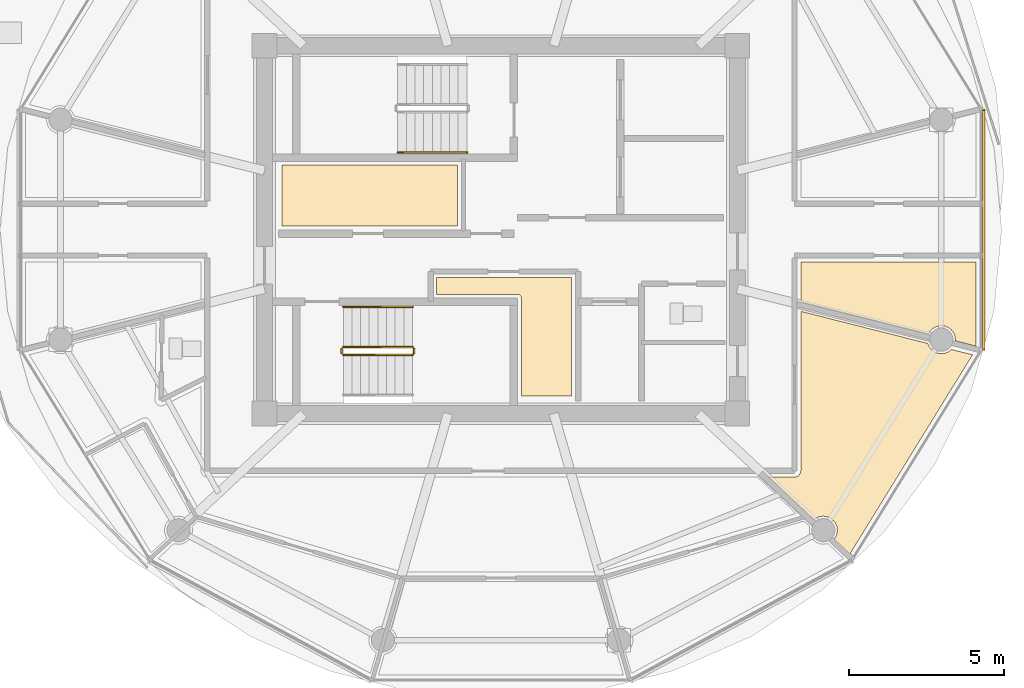
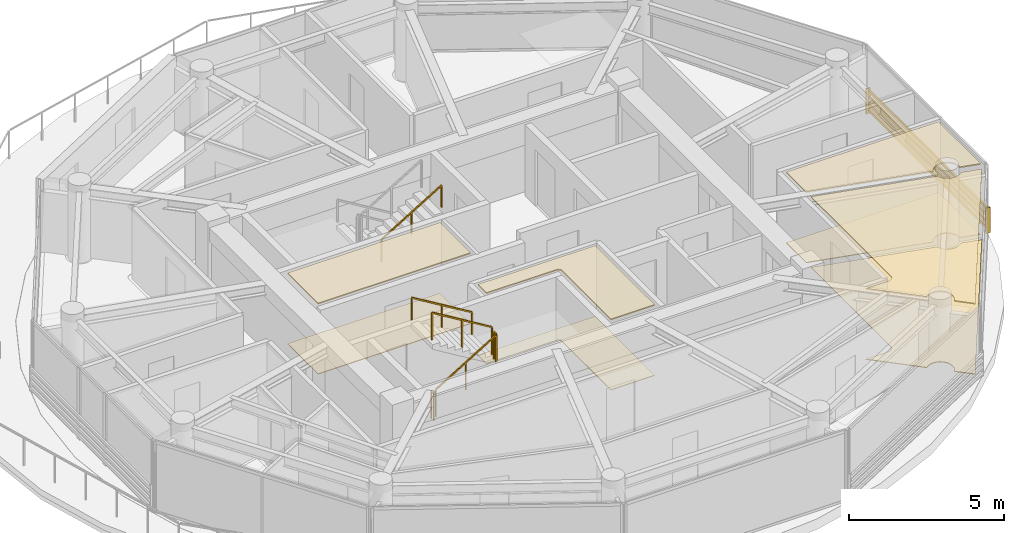
# One storey, part 22 of 28: 8 coverings, 6 railings, 1 shading device.
"""IFC4 building model written with IfcOpenShell, lengths in metres."""

from ifc_helpers import new_model, si_unit, direction, frame, origin, origin_2d, place, context, subcontext, project, spatial, polyline, rectangle, outline, extrude, source, transform, mapped, material, layer, layer_set, type_object, type_shapes, element, save


model = new_model("IFC4")

# Units and contexts
model_context = context("Model", 3, precision=1e-05, world=origin(), true_north=direction((0.0, 1.0)))
body_context = subcontext(model_context, "Body", "Model", "MODEL_VIEW")
ifc_project = project(units=[si_unit("LENGTHUNIT", "METRE"), si_unit("AREAUNIT", "SQUARE_METRE"), si_unit("VOLUMEUNIT", "CUBIC_METRE"), si_unit("PLANEANGLEUNIT", "RADIAN"), si_unit("MASSUNIT", "GRAM", prefix="KILO")], contexts=[model_context])

# Site, building, storey
site_placement = place(None, origin())
site = spatial("IfcSite", under=ifc_project, at=site_placement, CompositionType="ELEMENT")
building_placement = place(site_placement, origin())
building = spatial("IfcBuilding", under=site, at=building_placement, Name="Norrkilde Senior Care Towers", CompositionType="ELEMENT")
storey_placement = place(building_placement, frame((0.0, 0.0, 190.64990234375)))
storey = spatial("IfcBuildingStorey", under=building, at=storey_placement, Name="L59", CompositionType="ELEMENT", Elevation=190.64990234375)

# Coverings
ifc_material_1 = material(Name="Nordic Ash Timber", Category="wood")
ifc_layer_1 = layer(ifc_material_1, 0.044921875)
ifc_layer_set_1 = layer_set([ifc_layer_1], Name="Nordic Ash Timber")
covering_type_1 = type_object("IfcCoveringType", Name="Acoustic Ash Timber Slatted Ceiling 45", PredefinedType="CEILING", material=ifc_layer_set_1)
covering_1_placement = place(storey_placement, frame((0.0, 0.0, 2.76513671875)))
element("IfcCovering", 1, at=covering_1_placement, inside=storey, type_object=covering_type_1, Name="L59 Suspended Ceiling 0354", PredefinedType="CEILING", context=body_context, shape_type="SweptSolid", body=[
    extrude(outline(polyline([(20.919921875, 0.1201171875), (20.919921875, 2.090087890625), (26.60009765625, 2.090087890625), (26.60009765625, 0.1201171875), (20.919921875, 0.1201171875)])), origin(), (0.0, 0.0, 1.0), 0.044921875),
])
covering_2_placement = place(storey_placement, frame((0.0, 0.0, 2.76513671875)))
element("IfcCovering", 2, at=covering_2_placement, inside=storey, type_object=covering_type_1, Name="L59 Suspended Ceiling 0355", PredefinedType="CEILING", context=body_context, shape_type="SweptSolid", body=[
    extrude(outline(polyline([(28.65478515625, -2.175048828125), (28.65087890625, -2.1640625), (28.645751953125, -2.1533203125), (28.639892578125, -2.143310546875), (28.6328125, -2.1337890625), (28.624755859375, -2.125244140625), (28.6162109375, -2.1171875), (28.606689453125, -2.110107421875), (28.5966796875, -2.104248046875), (28.5859375, -2.09912109375), (28.574951171875, -2.09521484375), (28.5634765625, -2.09228515625), (28.5517578125, -2.090576171875), (28.5400390625, -2.090087890625), (25.919921875, -2.090087890625), (25.919921875, -1.5400390625), (30.2900390625, -1.5400390625), (30.2900390625, -5.3798828125), (28.659912109375, -5.3798828125), (28.659912109375, -2.2099609375), (28.659423828125, -2.1982421875), (28.65771484375, -2.1865234375), (28.65478515625, -2.175048828125)])), origin(), (0.0, 0.0, 1.0), 0.044921875),
])
covering_3_placement = place(storey_placement, frame((0.0, 0.0, 2.76513671875)))
element("IfcCovering", 3, at=covering_3_placement, inside=storey, type_object=covering_type_1, Name="L59 Suspended Ceiling 0360", PredefinedType="CEILING", context=body_context, shape_type="SweptSolid", body=[
    extrude(outline(polyline([(43.37353515625, -3.76708984375), (42.697509765625, -3.59619140625), (42.702392578125, -3.558837890625), (42.68701171875, -3.44091796875), (42.641357421875, -3.331298828125), (42.569091796875, -3.237060546875), (42.474853515625, -3.164794921875), (42.365234375, -3.119384765625), (42.247314453125, -3.103759765625), (42.129638671875, -3.119384765625), (42.02001953125, -3.164794921875), (41.92578125, -3.237060546875), (41.853271484375, -3.331298828125), (41.834228515625, -3.377685546875), (37.699951171875, -2.331298828125), (37.699951171875, -1.0400390625), (43.37353515625, -1.0400390625), (43.37353515625, -3.76708984375)])), origin(), (0.0, 0.0, 1.0), 0.044921875),
])
covering_4_placement = place(storey_placement, frame((0.0, 0.0, 2.76513671875)))
element("IfcCovering", 4, at=covering_4_placement, inside=storey, type_object=covering_type_1, Name="L59 Suspended Ceiling 0371", PredefinedType="CEILING", context=body_context, shape_type="SweptSolid", body=[
    extrude(outline(polyline([(37.552490234375, -7.992919921875), (37.563720703125, -7.989501953125), (37.571044921875, -7.98681640625), (37.58203125, -7.982421875), (37.589111328125, -7.97900390625), (37.599365234375, -7.973388671875), (37.606201171875, -7.969482421875), (37.615966796875, -7.962890625), (37.622314453125, -7.958251953125), (37.63134765625, -7.95068359375), (37.63720703125, -7.945556640625), (37.6455078125, -7.937255859375), (37.65087890625, -7.931396484375), (37.658203125, -7.92236328125), (37.662841796875, -7.916015625), (37.66943359375, -7.90625), (37.673583984375, -7.8994140625), (37.678955078125, -7.888916015625), (37.682373046875, -7.8818359375), (37.68701171875, -7.87109375), (37.689453125, -7.86376953125), (37.69287109375, -7.852294921875), (37.69482421875, -7.8447265625), (37.697265625, -7.833251953125), (37.6982421875, -7.825439453125), (37.699462890625, -7.813720703125), (37.699951171875, -7.805908203125), (37.699951171875, -7.800048828125), (37.699951171875, -2.640625), (41.809814453125, -3.680908203125), (41.853271484375, -3.786376953125), (41.92578125, -3.880615234375), (42.02001953125, -3.952880859375), (42.129638671875, -3.998291015625), (42.247314453125, -4.013671875), (42.365234375, -3.998291015625), (42.474853515625, -3.952880859375), (42.569091796875, -3.880615234375), (42.573974609375, -3.874267578125), (43.25732421875, -4.04736328125), (39.28662109375, -10.495849609375), (38.775634765625, -10.01318359375), (38.823974609375, -9.9501953125), (38.869384765625, -9.840576171875), (38.884765625, -9.72265625), (38.869384765625, -9.60498046875), (38.823974609375, -9.4951171875), (38.75146484375, -9.40087890625), (38.6572265625, -9.32861328125), (38.547607421875, -9.283203125), (38.429931640625, -9.267822265625), (38.31201171875, -9.283203125), (38.202392578125, -9.32861328125), (38.11865234375, -9.392822265625), (36.644287109375, -8.0), (37.5, -8.0), (37.505859375, -7.999755859375), (37.513671875, -7.99951171875), (37.525390625, -7.998291015625), (37.533203125, -7.9970703125), (37.544677734375, -7.994873046875), (37.552490234375, -7.992919921875)])), origin(), (0.0, 0.0, 1.0), 0.044921875),
])
ifc_material_2 = material(Name="Slip-Resistant Porcelain Stone", Category="masonry")
ifc_layer_2 = layer(ifc_material_2, 0.02490234375)
ifc_layer_set_2 = layer_set([ifc_layer_2], Name="Slip-Resistant Porcelain Stone")
covering_type_2 = type_object("IfcCoveringType", Name="Slip-Resistant Porcelain Flooring 25", PredefinedType="FLOORING", material=ifc_layer_set_2)
covering_5_placement = place(storey_placement, origin())
element("IfcCovering", 5, at=covering_5_placement, inside=storey, type_object=covering_type_2, Name="L59 Floor Finish 0354", PredefinedType="FLOORING", context=body_context, shape_type="SweptSolid", body=[
    extrude(outline(polyline([(20.919921875, 0.1201171875), (20.919921875, 2.090087890625), (26.60009765625, 2.090087890625), (26.60009765625, 0.1201171875), (20.919921875, 0.1201171875)])), origin(), (0.0, 0.0, 1.0), 0.025146484375),
])
covering_6_placement = place(storey_placement, origin())
element("IfcCovering", 6, at=covering_6_placement, inside=storey, type_object=covering_type_2, Name="L59 Floor Finish 0355", PredefinedType="FLOORING", context=body_context, shape_type="SweptSolid", body=[
    extrude(outline(polyline([(28.65478515625, -2.175048828125), (28.65087890625, -2.1640625), (28.645751953125, -2.1533203125), (28.639892578125, -2.143310546875), (28.6328125, -2.1337890625), (28.624755859375, -2.125244140625), (28.6162109375, -2.1171875), (28.606689453125, -2.110107421875), (28.5966796875, -2.104248046875), (28.5859375, -2.09912109375), (28.574951171875, -2.09521484375), (28.5634765625, -2.09228515625), (28.5517578125, -2.090576171875), (28.5400390625, -2.090087890625), (25.919921875, -2.090087890625), (25.919921875, -1.5400390625), (30.2900390625, -1.5400390625), (30.2900390625, -5.3798828125), (28.659912109375, -5.3798828125), (28.659912109375, -2.2099609375), (28.659423828125, -2.1982421875), (28.65771484375, -2.1865234375), (28.65478515625, -2.175048828125)])), origin(), (0.0, 0.0, 1.0), 0.025146484375),
])
covering_7_placement = place(storey_placement, origin())
element("IfcCovering", 7, at=covering_7_placement, inside=storey, type_object=covering_type_2, Name="L59 Floor Finish 0360", PredefinedType="FLOORING", context=body_context, shape_type="SweptSolid", body=[
    extrude(outline(polyline([(43.37353515625, -3.76708984375), (42.697509765625, -3.59619140625), (42.702392578125, -3.558837890625), (42.68701171875, -3.44091796875), (42.641357421875, -3.331298828125), (42.569091796875, -3.237060546875), (42.474853515625, -3.164794921875), (42.365234375, -3.119384765625), (42.247314453125, -3.103759765625), (42.129638671875, -3.119384765625), (42.02001953125, -3.164794921875), (41.92578125, -3.237060546875), (41.853271484375, -3.331298828125), (41.834228515625, -3.377685546875), (37.699951171875, -2.331298828125), (37.699951171875, -1.0400390625), (43.37353515625, -1.0400390625), (43.37353515625, -3.76708984375)])), origin(), (0.0, 0.0, 1.0), 0.025146484375),
])
covering_8_placement = place(storey_placement, origin())
element("IfcCovering", 8, at=covering_8_placement, inside=storey, type_object=covering_type_2, Name="L59 Floor Finish 0371", PredefinedType="FLOORING", context=body_context, shape_type="SweptSolid", body=[
    extrude(outline(polyline([(37.552490234375, -7.992919921875), (37.563720703125, -7.989501953125), (37.571044921875, -7.98681640625), (37.58203125, -7.982421875), (37.589111328125, -7.97900390625), (37.599365234375, -7.973388671875), (37.606201171875, -7.969482421875), (37.615966796875, -7.962890625), (37.622314453125, -7.958251953125), (37.63134765625, -7.95068359375), (37.63720703125, -7.945556640625), (37.6455078125, -7.937255859375), (37.65087890625, -7.931396484375), (37.658203125, -7.92236328125), (37.662841796875, -7.916015625), (37.66943359375, -7.90625), (37.673583984375, -7.8994140625), (37.678955078125, -7.888916015625), (37.682373046875, -7.8818359375), (37.68701171875, -7.87109375), (37.689453125, -7.86376953125), (37.69287109375, -7.852294921875), (37.69482421875, -7.8447265625), (37.697265625, -7.833251953125), (37.6982421875, -7.825439453125), (37.699462890625, -7.813720703125), (37.699951171875, -7.805908203125), (37.699951171875, -7.800048828125), (37.699951171875, -2.640625), (41.809814453125, -3.680908203125), (41.853271484375, -3.786376953125), (41.92578125, -3.880615234375), (42.02001953125, -3.952880859375), (42.129638671875, -3.998291015625), (42.247314453125, -4.013671875), (42.365234375, -3.998291015625), (42.474853515625, -3.952880859375), (42.569091796875, -3.880615234375), (42.573974609375, -3.874267578125), (43.25732421875, -4.04736328125), (39.28662109375, -10.495849609375), (38.775634765625, -10.01318359375), (38.823974609375, -9.9501953125), (38.869384765625, -9.840576171875), (38.884765625, -9.72265625), (38.869384765625, -9.60498046875), (38.823974609375, -9.4951171875), (38.75146484375, -9.40087890625), (38.6572265625, -9.32861328125), (38.547607421875, -9.283203125), (38.429931640625, -9.267822265625), (38.31201171875, -9.283203125), (38.202392578125, -9.32861328125), (38.11865234375, -9.392822265625), (36.644287109375, -8.0), (37.5, -8.0), (37.505859375, -7.999755859375), (37.513671875, -7.99951171875), (37.525390625, -7.998291015625), (37.533203125, -7.9970703125), (37.544677734375, -7.994873046875), (37.552490234375, -7.992919921875)])), origin(), (0.0, 0.0, 1.0), 0.025146484375),
])

# Railings
ifc_material_3 = material(Name="Stainless Steel", Category="steel")
railing_type_1 = type_object("IfcRailingType", Name="Stair and Terrace Guardrail 1100", PredefinedType="GUARDRAIL", material=ifc_material_3)
railing_1_placement = place(storey_placement, frame((22.89990234375, -4.050048828125, 0.16943359375)))
element("IfcRailing", 9, at=railing_1_placement, inside=storey, type_object=railing_type_1, Name="L59 ST-E2 stair guard 1", PredefinedType="GUARDRAIL", context=body_context, shape_type="SweptSolid", body=[
    extrude(rectangle(XDim=0.048095703125, YDim=0.048095703125, at=origin_2d()), frame((0.0, 0.0, 1.076171875), z_axis=(0.855512035549, 0.0, 0.517782924622), x_axis=(0.0, 1.0, 0.0)), (0.0, 0.0, 1.0), 2.618408203125),
    extrude(rectangle(XDim=0.0419921875, YDim=0.0419921875, at=origin_2d()), origin(), (0.0, 0.0, 1.0), 1.050048828125),
    extrude(rectangle(XDim=0.0419921875, YDim=0.0419921875, at=origin_2d()), frame((1.1201171875, 0.0, 0.677734375)), (0.0, 0.0, 1.0), 1.050048828125),
    extrude(rectangle(XDim=0.0419921875, YDim=0.0419921875, at=origin_2d()), frame((2.239990234375, 0.0, 1.355712890625)), (0.0, 0.0, 1.0), 1.050048828125),
])
railing_2_placement = place(storey_placement, frame((25.18994140625, -4.0, 1.525146484375)))
element("IfcRailing", 10, at=railing_2_placement, inside=storey, type_object=railing_type_1, Name="L59 ST-E2 stair guard 2", PredefinedType="GUARDRAIL", context=body_context, shape_type="SweptSolid", body=[
    extrude(rectangle(XDim=0.048095703125, YDim=0.048095703125, at=origin_2d()), frame((0.0, 0.0, 1.076171875), z_axis=(0.0, 1.0, 0.0), x_axis=(-1.0, 0.0, 0.0)), (0.0, 0.0, 1.0), 0.14990234375),
    extrude(rectangle(XDim=0.0419921875, YDim=0.0419921875, at=origin_2d()), origin(), (0.0, 0.0, 1.0), 1.050048828125),
    extrude(rectangle(XDim=0.0419921875, YDim=0.0419921875, at=origin_2d()), frame((0.0, 0.14990234375, 0.0)), (0.0, 0.0, 1.0), 1.050048828125),
])
railing_3_placement = place(storey_placement, frame((25.139892578125, -3.800048828125, 1.694580078125)))
element("IfcRailing", 11, at=railing_3_placement, inside=storey, type_object=railing_type_1, Name="L59 ST-E2 stair guard 3", PredefinedType="GUARDRAIL", context=body_context, shape_type="SweptSolid", body=[
    extrude(rectangle(XDim=0.048095703125, YDim=0.048095703125, at=origin_2d()), frame((0.0, 0.0, 1.076171875), z_axis=(-0.855553338991, 0.0, 0.51771467445), x_axis=(0.0, -1.0, 0.0)), (0.0, 0.0, 1.0), 2.6181640625),
    extrude(rectangle(XDim=0.0419921875, YDim=0.0419921875, at=origin_2d()), origin(), (0.0, 0.0, 1.0), 1.050048828125),
    extrude(rectangle(XDim=0.0419921875, YDim=0.0419921875, at=origin_2d()), frame((-1.1201171875, 0.0, 0.677734375)), (0.0, 0.0, 1.0), 1.050048828125),
    extrude(rectangle(XDim=0.0419921875, YDim=0.0419921875, at=origin_2d()), frame((-2.239990234375, 0.0, 1.35546875)), (0.0, 0.0, 1.0), 1.050048828125),
])
railing_4_placement = place(storey_placement, frame((22.85009765625, -4.0, 0.0)))
element("IfcRailing", 12, at=railing_4_placement, inside=storey, type_object=railing_type_1, Name="L59 ST-E2 stair guard 4", PredefinedType="GUARDRAIL", context=body_context, shape_type="SweptSolid", body=[
    extrude(rectangle(XDim=0.048095703125, YDim=0.048095703125, at=origin_2d()), frame((0.0, 0.0, 1.076171875), z_axis=(0.0, 1.0, 0.0), x_axis=(-1.0, 0.0, 0.0)), (0.0, 0.0, 1.0), 0.14990234375),
    extrude(rectangle(XDim=0.0419921875, YDim=0.0419921875, at=origin_2d()), origin(), (0.0, 0.0, 1.0), 1.050048828125),
    extrude(rectangle(XDim=0.0419921875, YDim=0.0419921875, at=origin_2d()), frame((0.0, 0.14990234375, 0.0)), (0.0, 0.0, 1.0), 1.050048828125),
])
railing_type_2 = type_object("IfcRailingType", Name="Wall and Stair Handrail 900", PredefinedType="HANDRAIL", material=ifc_material_1)
railing_5_placement = place(storey_placement, frame((24.659912109375, 2.5, 1.694580078125)))
element("IfcRailing", 13, at=railing_5_placement, inside=storey, type_object=railing_type_2, Name="L59 ST-E1 stair handrail 2", PredefinedType="HANDRAIL", context=body_context, shape_type="SweptSolid", body=[
    extrude(rectangle(XDim=0.048095703125, YDim=0.048095703125, at=origin_2d()), frame((0.0, 0.0, 0.8759765625), z_axis=(0.855553338991, 0.0, 0.51771467445), x_axis=(0.0, 1.0, 0.0)), (0.0, 0.0, 1.0), 2.6181640625),
    extrude(rectangle(XDim=0.0419921875, YDim=0.0419921875, at=origin_2d()), origin(), (0.0, 0.0, 1.0), 0.849853515625),
    extrude(rectangle(XDim=0.0419921875, YDim=0.0419921875, at=origin_2d()), frame((1.1201171875, 0.0, 0.677734375)), (0.0, 0.0, 1.0), 0.849853515625),
    extrude(rectangle(XDim=0.0419921875, YDim=0.0419921875, at=origin_2d()), frame((2.239990234375, 0.0, 1.35546875)), (0.0, 0.0, 1.0), 0.849853515625),
])
railing_6_placement = place(storey_placement, frame((25.139892578125, -2.5, 1.694580078125)))
element("IfcRailing", 14, at=railing_6_placement, inside=storey, type_object=railing_type_2, Name="L59 ST-E2 stair handrail 2", PredefinedType="HANDRAIL", context=body_context, shape_type="SweptSolid", body=[
    extrude(rectangle(XDim=0.048095703125, YDim=0.048095703125, at=origin_2d()), frame((0.0, 0.0, 0.8759765625), z_axis=(-0.855553338991, 0.0, 0.51771467445), x_axis=(0.0, -1.0, 0.0)), (0.0, 0.0, 1.0), 2.6181640625),
    extrude(rectangle(XDim=0.0419921875, YDim=0.0419921875, at=origin_2d()), origin(), (0.0, 0.0, 1.0), 0.849853515625),
    extrude(rectangle(XDim=0.0419921875, YDim=0.0419921875, at=origin_2d()), frame((-1.1201171875, 0.0, 0.677734375)), (0.0, 0.0, 1.0), 0.849853515625),
    extrude(rectangle(XDim=0.0419921875, YDim=0.0419921875, at=origin_2d()), frame((-2.239990234375, 0.0, 1.35546875)), (0.0, 0.0, 1.0), 0.849853515625),
])

# Shading device
ifc_material_4 = material(Name="Architectural Terracotta", Category="masonry")
shading_device_type = type_object("IfcShadingDeviceType", Name="Horizontal Terracotta Baguette Rack", PredefinedType="USERDEFINED", material=ifc_material_4)
shared_shape = source(origin(), body_context, "Body", "SweptSolid", [
    extrude(rectangle(XDim=0.070068359375, YDim=0.110107421875, at=origin_2d()), frame((0.0, 0.090087890625, 0.125), z_axis=(1.0, 0.0, 0.0), x_axis=(0.0, 1.0, 0.0)), (0.0, 0.0, 1.0), 7.80615234375),
    extrude(rectangle(XDim=0.070068359375, YDim=0.110107421875, at=origin_2d()), frame((0.0, 0.090087890625, 0.375), z_axis=(1.0, 0.0, 0.0), x_axis=(0.0, 1.0, 0.0)), (0.0, 0.0, 1.0), 7.80615234375),
    extrude(rectangle(XDim=0.070068359375, YDim=0.110107421875, at=origin_2d()), frame((0.0, 0.090087890625, 0.625), z_axis=(1.0, 0.0, 0.0), x_axis=(0.0, 1.0, 0.0)), (0.0, 0.0, 1.0), 7.80615234375),
    extrude(rectangle(XDim=0.070068359375, YDim=0.110107421875, at=origin_2d()), frame((0.0, 0.090087890625, 0.875), z_axis=(1.0, 0.0, 0.0), x_axis=(0.0, 1.0, 0.0)), (0.0, 0.0, 1.0), 7.80615234375),
    extrude(rectangle(XDim=0.050048828125, YDim=0.1552734375, at=origin_2d()), frame((0.02490234375, 0.047607421875, 0.0)), (0.0, 0.0, 1.0), 1.0),
    extrude(rectangle(XDim=0.050048828125, YDim=0.1552734375, at=origin_2d()), frame((7.78125, 0.047607421875, 0.0)), (0.0, 0.0, 1.0), 1.0),
])
type_shapes(shading_device_type, [shared_shape])
shading_device_placement = place(storey_placement, frame((43.531982421875, 3.903076171875, 0.080078125), z_axis=(0.0, 0.0, 1.0), x_axis=(0.0, -1.0, 0.0)))
element("IfcShadingDevice", 15, at=shading_device_placement, inside=storey, type_object=shading_device_type, Name="L59 Drum E Terracotta Baguette Screen 11", ObjectType="BAGUETTE", PredefinedType="USERDEFINED", context=body_context, shape_type="MappedRepresentation", body=[
    mapped(shared_shape, transform((0.0, 0.0, 0.0), x_axis=(1.0, 0.0, 0.0), y_axis=(0.0, 1.0, 0.0), z_axis=(0.0, 0.0, 1.0), scale=1.0)),
])

save(model, "model.ifc")
